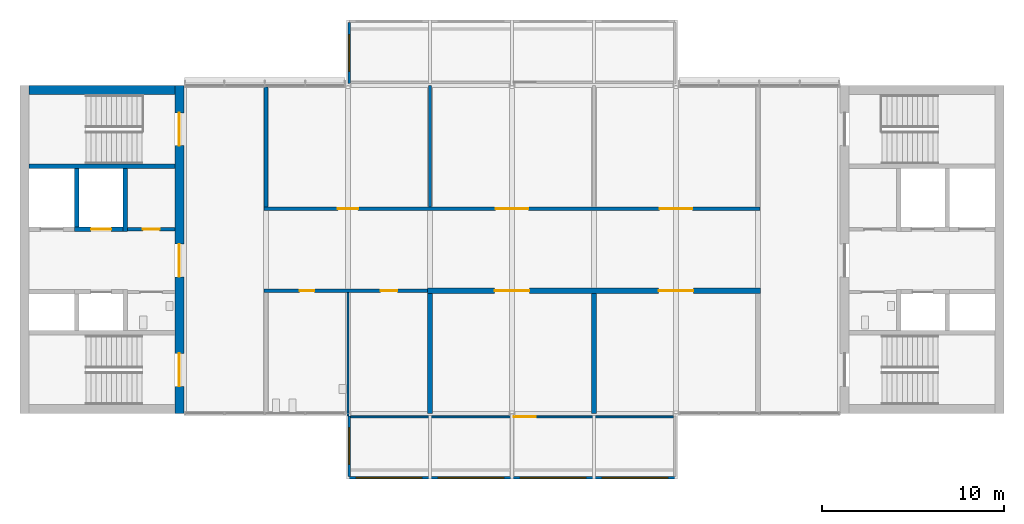
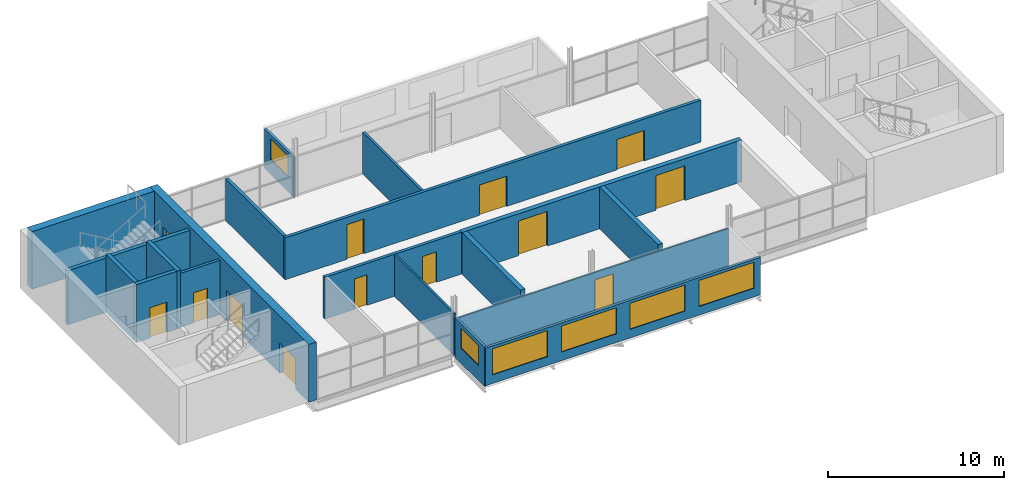
# One storey, part 5 of 10: 19 walls, 13 doors, 6 windows, 19 openings.
"""IFC4 building model written with IfcOpenShell, lengths in metres."""

import ifcopenshell
import ifcopenshell.guid

model = None  # the IFC model being written
_history = None  # IfcOwnerHistory: only IFC2X3 demands one
_inside = {}  # id of a spatial element -> (the spatial element, [elements in it])
_under = {}  # id of a project, library or spatial element -> (it, [spatial elements below it])
_declared = {}  # id of a project -> (the project, [libraries it declares])
_typed = {}  # id of a type object -> (the type object, [elements of that type])
_made_of = {}  # id of a material, layer set ... -> (it, [elements and type objects made of it])


def new_model(schema):
    """Start an empty IFC model of exactly this schema.

    Asked for "IFC4X3", IfcOpenShell would pick the latest addendum, in which some entities
    have other attributes; the version numbers below select the first issue.
    IFC2X3 requires an IfcOwnerHistory on every rooted entity: one is made here for all.
    """
    global model, _history
    if schema == "IFC4X3":
        model = ifcopenshell.file(schema_version=(4, 3, 0, 0))
    else:
        model = ifcopenshell.file(schema=schema)
    _inside.clear()
    _under.clear()
    _declared.clear()
    _typed.clear()
    _made_of.clear()
    _history = None
    if model.schema == "IFC2X3":
        org = make("IfcOrganization", Name="unknown")
        user = make(
            "IfcPersonAndOrganization",
            ThePerson=make("IfcPerson", FamilyName="unknown"),
            TheOrganization=org,
        )
        app = make(
            "IfcApplication",
            ApplicationDeveloper=org,
            Version="unknown",
            ApplicationFullName="unknown",
            ApplicationIdentifier="unknown",
        )
        _history = make(
            "IfcOwnerHistory",
            OwningUser=user,
            OwningApplication=app,
            ChangeAction="ADDED",
            CreationDate=0,
        )
    return model


def make(cls, **values):
    """One entity of the class cls with the attributes given. An attribute that is None is left unset."""
    return model.create_entity(
        cls, **{name: value for name, value in values.items() if value is not None}
    )


def rooted(cls, **values):
    """An entity with a GlobalId (a new one), such as an element, a storey or a relation."""
    return make(cls, GlobalId=ifcopenshell.guid.new(), OwnerHistory=_history, **values)


def si_unit(unit_type, name, prefix=None):
    """IfcSIUnit, for example si_unit("LENGTHUNIT", "METRE", prefix="MILLI")."""
    return make("IfcSIUnit", UnitType=unit_type, Prefix=prefix, Name=name)


def assignment(units):
    """IfcUnitAssignment: the units of a project."""
    return None if units is None else make("IfcUnitAssignment", Units=units)


def point(xyz):
    """IfcCartesianPoint."""
    return None if xyz is None else make("IfcCartesianPoint", Coordinates=xyz)


def direction(xyz):
    """IfcDirection."""
    return None if xyz is None else make("IfcDirection", DirectionRatios=xyz)


def frame(location, z_axis=None, x_axis=None):
    """IfcAxis2Placement3D, a coordinate frame: its origin and axes. An axis left out is left unset."""
    return make(
        "IfcAxis2Placement3D",
        Location=point(location),
        Axis=direction(z_axis),
        RefDirection=direction(x_axis),
    )


def frame_2d(location, x_axis=None):
    """IfcAxis2Placement2D, a coordinate frame in the plane: its origin and x axis."""
    return make(
        "IfcAxis2Placement2D", Location=point(location), RefDirection=direction(x_axis)
    )


def origin():
    """The frame at (0, 0, 0) with its axes left unset."""
    return frame((0.0, 0.0, 0.0))


def place(relative_to, where):
    """IfcLocalPlacement: puts the frame where relative to a parent placement (None: the world)."""
    return make(
        "IfcLocalPlacement", PlacementRelTo=relative_to, RelativePlacement=where
    )


def context(
    kind, dimensions, precision=None, world=None, true_north=None, identifier=None
):
    """IfcGeometricRepresentationContext, for example the 3D "Model" context."""
    return make(
        "IfcGeometricRepresentationContext",
        ContextIdentifier=identifier,
        ContextType=kind,
        CoordinateSpaceDimension=dimensions,
        Precision=precision,
        WorldCoordinateSystem=world,
        TrueNorth=true_north,
    )


def subcontext(parent, identifier, kind, view, scale=None):
    """IfcGeometricRepresentationSubContext, for example "Body" below "Model"."""
    return make(
        "IfcGeometricRepresentationSubContext",
        ContextIdentifier=identifier,
        ContextType=kind,
        ParentContext=parent,
        TargetScale=scale,
        TargetView=view,
    )


def project(units=None, contexts=None):
    """IfcProject with its units and contexts."""
    return rooted(
        "IfcProject",
        Name="project",
        RepresentationContexts=contexts,
        UnitsInContext=assignment(units),
    )


def spatial(cls, under=None, at=None, **own):
    """A site, building, storey or space (cls), placed at a placement, below another one or the project."""
    s = rooted(cls, ObjectPlacement=at, **own)
    if under is not None:
        _under.setdefault(under.id(), (under, []))[1].append(s)
    return s


def profile(cls, at=None, kind="AREA", **sizes):
    """A parametric profile (cls). Its sizes go by their IFC names, for example OverallWidth=200.0."""
    return make(cls, ProfileType=kind, Position=at, **sizes)


def rectangle(**sizes):
    """IfcRectangleProfileDef."""
    return profile("IfcRectangleProfileDef", **sizes)


def extrude(swept, where, along, depth):
    """IfcExtrudedAreaSolid: the profile swept, set in the frame where, extruded along a direction by depth."""
    return make(
        "IfcExtrudedAreaSolid",
        SweptArea=swept,
        Position=where,
        ExtrudedDirection=direction(along),
        Depth=depth,
    )


def shape(context_of_items, identifier, shape_type, items):
    """IfcShapeRepresentation: the items that make up one representation, for example the "Body"."""
    return make(
        "IfcShapeRepresentation",
        ContextOfItems=context_of_items,
        RepresentationIdentifier=identifier,
        RepresentationType=shape_type,
        Items=items,
    )


def material(Name=None, Category=None):
    """IfcMaterial."""
    return make("IfcMaterial", Name=Name, Category=Category)


def layer(
    of_material, thickness, ventilated=None, Name=None, Category=None, Priority=None
):
    """IfcMaterialLayer: one layer of a wall or slab, of a material (None: an air gap)."""
    return make(
        "IfcMaterialLayer",
        Material=of_material,
        LayerThickness=thickness,
        IsVentilated=ventilated,
        Name=Name,
        Category=Category,
        Priority=Priority,
    )


def layer_set(layers, Name=None):
    """IfcMaterialLayerSet."""
    return make("IfcMaterialLayerSet", MaterialLayers=layers, LayerSetName=Name)


def made_of(thing, what):
    """Note that an element or type object is made of a material, layer set ...; save() writes the relation."""
    if what is not None:
        _made_of.setdefault(what.id(), (what, []))[1].append(thing)
    return thing


def type_object(cls, material=None, **own):
    """A type object (cls), such as IfcWallType, which elements share."""
    return made_of(rooted(cls, **own), material)


def element(
    cls,
    number,
    at=None,
    inside=None,
    cuts=None,
    type_object=None,
    material=None,
    context=None,
    identifier="Body",
    shape_type=None,
    held_by="IfcProductDefinitionShape",
    body=None,
    shapes=None,
    **own,
):
    """One element of the class cls, such as IfcWall. Its Tag is "e" and its number.

    at: its placement. inside: the storey or other place that contains it. cuts: it is an
    opening in that element (IfcRelVoidsElement). A single representation is given by context,
    identifier, shape_type and body (its items); several are given by shapes. held_by: the class
    of the entity that holds the representations. save() writes the other relations.
    """
    e = rooted(cls, Tag="e%d" % number, ObjectPlacement=at, **own)
    if body is not None:
        shapes = [shape(context, identifier, shape_type, body)]
    if shapes is not None:
        e.Representation = make(held_by, Representations=shapes)
    if inside is not None:
        _inside.setdefault(inside.id(), (inside, []))[1].append(e)
    if cuts is not None:
        rooted(
            "IfcRelVoidsElement", RelatingBuildingElement=cuts, RelatedOpeningElement=e
        )
    if type_object is not None:
        _typed.setdefault(type_object.id(), (type_object, []))[1].append(e)
    return made_of(e, material)


def fill(opening, filler):
    """IfcRelFillsElement: the door or window that sits in an opening."""
    return rooted(
        "IfcRelFillsElement",
        RelatingOpeningElement=opening,
        RelatedBuildingElement=filler,
    )


def aggregate(whole, parts):
    """IfcRelAggregates: a whole, such as a stair, and the parts it consists of."""
    return rooted("IfcRelAggregates", RelatingObject=whole, RelatedObjects=parts)


def save(model, path):
    """Write the relations noted so far, then the file.

    IfcRelAggregates (storeys below a building ...), IfcRelContainedInSpatialStructure (elements
    in a storey), IfcRelDefinesByType, IfcRelAssociatesMaterial and IfcRelDeclares: one each for
    every whole, place, type object, material and project.
    """
    for whole, parts in _under.values():
        aggregate(whole, parts)
    for where, things in _inside.values():
        rooted(
            "IfcRelContainedInSpatialStructure",
            RelatedElements=things,
            RelatingStructure=where,
        )
    for kind, things in _typed.values():
        rooted("IfcRelDefinesByType", RelatedObjects=things, RelatingType=kind)
    for what, things in _made_of.values():
        rooted("IfcRelAssociatesMaterial", RelatedObjects=things, RelatingMaterial=what)
    for by, libraries in _declared.values():
        rooted("IfcRelDeclares", RelatingContext=by, RelatedDefinitions=libraries)
    model.write(path)


model = new_model("IFC4")

# Units and contexts
model_context = context("Model", 3, precision=1e-05, world=origin(), true_north=direction((0.0, 1.0)))
body_context = subcontext(model_context, "Body", "Model", "MODEL_VIEW")
ifc_project = project(units=[si_unit("LENGTHUNIT", "METRE"), si_unit("AREAUNIT", "SQUARE_METRE"), si_unit("VOLUMEUNIT", "CUBIC_METRE"), si_unit("PLANEANGLEUNIT", "RADIAN"), si_unit("MASSUNIT", "GRAM", prefix="KILO")], contexts=[model_context])

# Site, building, storey
site_placement = place(None, origin())
site = spatial("IfcSite", under=ifc_project, at=site_placement, CompositionType="ELEMENT")
building_placement = place(site_placement, origin())
building = spatial("IfcBuilding", under=site, at=building_placement, Name="Corbel Yard City Hall", CompositionType="ELEMENT")
storey_placement = place(building_placement, frame((0.0, 0.0, 67.199951171875)))
storey = spatial("IfcBuildingStorey", under=building, at=storey_placement, Name="L16", CompositionType="ELEMENT", Elevation=67.199951171875)

# Walls
ifc_material_1 = material(Name="Concrete N40 (40 MPa)", Category="concrete")
ifc_layer_1 = layer(ifc_material_1, 0.25)
ifc_layer_set_1 = layer_set([ifc_layer_1], Name="Concrete N40 (40 MPa)")
wall_type_1 = type_object("IfcWallType", Name="IW2", PredefinedType="SOLIDWALL", material=ifc_layer_set_1)
wall_1_placement = place(storey_placement, frame((8.5, 112.574951171875, 0.0), z_axis=(0.0, 0.0, 1.0), x_axis=(-1.0, 0.0, 0.0)))
element("IfcWall", 1, at=wall_1_placement, inside=storey, type_object=wall_type_1, Name="Stair enclosure wall", PredefinedType="SOLIDWALL", context=body_context, shape_type="SweptSolid", body=[
    extrude(rectangle(XDim=8.0, YDim=0.25, at=frame_2d((4.0, 0.0))), origin(), (0.0, 0.0, 1.0), 3.75),
])
wall_2_placement = place(storey_placement, frame((5.77490234375, 109.0, 0.0), z_axis=(0.0, 0.0, 1.0), x_axis=(0.0, 1.0, 0.0)))
element("IfcWall", 2, at=wall_2_placement, inside=storey, type_object=wall_type_1, Name="Lift LP24 shaft wall", PredefinedType="SOLIDWALL", context=body_context, shape_type="SweptSolid", body=[
    extrude(rectangle(XDim=3.449951171875, YDim=0.25, at=frame_2d((1.72509765625, 0.0))), origin(), (0.0, 0.0, 1.0), 4.0),
])
wall_3_placement = place(storey_placement, frame((3.125, 109.25, 0.0), z_axis=(0.0, 0.0, 1.0), x_axis=(0.0, 1.0, 0.0)))
element("IfcWall", 3, at=wall_3_placement, inside=storey, type_object=wall_type_1, Name="Lift LP24 shaft wall", PredefinedType="SOLIDWALL", context=body_context, shape_type="SweptSolid", body=[
    extrude(rectangle(XDim=3.199951171875, YDim=0.25, at=frame_2d((1.60009765625, 0.0))), origin(), (0.0, 0.0, 1.0), 4.0),
])

# Wall, opening, door
wall_4_placement = place(storey_placement, frame((5.64990234375, 109.125, 0.0), z_axis=(0.0, 0.0, 1.0), x_axis=(-1.0, 0.0, 0.0)))
wall_4 = element("IfcWall", 4, at=wall_4_placement, inside=storey, type_object=wall_type_1, Name="Lift LP24 shaft wall", PredefinedType="SOLIDWALL", context=body_context, shape_type="SweptSolid", body=[
    extrude(rectangle(XDim=2.64990234375, YDim=0.25, at=frame_2d((1.324951171875, 0.0))), origin(), (0.0, 0.0, 1.0), 4.0),
])
opening_1_placement = place(wall_4_placement, frame((0.64990234375, 0.0, 0.0)))
opening_1 = element("IfcOpeningElement", 5, at=opening_1_placement, cuts=wall_4, Name="Opening L16-004", PredefinedType="OPENING", context=body_context, shape_type="SweptSolid", body=[
    extrude(rectangle(XDim=1.10009765625, YDim=2.10009765625, at=frame_2d((0.550048828125, 1.050048828125))), frame((0.0, 0.135009765625, 0.0), z_axis=(0.0, -1.0, 0.0), x_axis=(1.0, 0.0, 0.0)), (0.0, 0.0, 1.0), 0.27001953125),
])
ifc_material_2 = material(Name="Stainless steel Grade 316", Category="steel")
door_type_1 = type_object("IfcDoorType", Name="LD1", OperationType="DOUBLE_DOOR_SLIDING", PredefinedType="DOOR", material=ifc_material_2)
door_1_placement = place(opening_1_placement, origin())
door_1 = element("IfcDoor", 6, at=door_1_placement, inside=storey, type_object=door_type_1, Name="Lift LP24 landing door", OperationType="DOUBLE_DOOR_SLIDING", OverallHeight=2.10009765625, OverallWidth=1.10009765625, PredefinedType="DOOR", context=body_context, shape_type="SweptSolid", body=[
    extrude(rectangle(XDim=1.10009765625, YDim=2.10009765625, at=frame_2d((0.550048828125, 1.050048828125))), frame((0.0, 0.02490234375, 0.0), z_axis=(0.0, -1.0, 0.0), x_axis=(1.0, 0.0, 0.0)), (0.0, 0.0, 1.0), 0.050048828125),
])
fill(opening_1, door_1)

# Wall, openings, windows
ifc_material_3 = material(Name="Anodised aluminium", Category="aluminium")
ifc_layer_2 = layer(ifc_material_3, 0.02392578125)
ifc_material_4 = material(Name="Steel Grade G550 (550 MPa yield)", Category="steel")
ifc_layer_3 = layer(ifc_material_4, 0.10009765625)
ifc_material_5 = material(Name="Gypsum plasterboard", Category="gypsum")
ifc_layer_4 = layer(ifc_material_5, 0.02587890625)
ifc_layer_set_2 = layer_set([ifc_layer_2, ifc_layer_3, ifc_layer_4], Name="Steel Grade G550 (550 MPa yield)")
wall_type_2 = type_object("IfcWallType", Name="PD1", PredefinedType="SOLIDWALL", material=ifc_layer_set_2)
wall_5_placement = place(storey_placement, frame((18.0, 95.47509765625, 0.0), z_axis=(0.0, 0.0, 1.0), x_axis=(1.0, 0.0, 0.0)))
wall_5 = element("IfcWall", 7, at=wall_5_placement, inside=storey, type_object=wall_type_2, Name="Pod outer wall L16", PredefinedType="SOLIDWALL", context=body_context, shape_type="SweptSolid", body=[
    extrude(rectangle(XDim=18.0, YDim=0.14990234375, at=frame_2d((9.0, 0.0))), origin(), (0.0, 0.0, 1.0), 2.60009765625),
])
opening_2_placement = place(wall_5_placement, frame((0.449951171875, 0.0, 0.60009765625)))
opening_2 = element("IfcOpeningElement", 8, at=opening_2_placement, cuts=wall_5, Name="Opening WN17", PredefinedType="OPENING", context=body_context, shape_type="SweptSolid", body=[
    extrude(rectangle(XDim=3.60009765625, YDim=1.800048828125, at=frame_2d((1.800048828125, 0.89990234375))), frame((0.0, 0.0849609375, 0.0), z_axis=(0.0, -1.0, 0.0), x_axis=(1.0, 0.0, 0.0)), (0.0, 0.0, 1.0), 0.169921875),
])
opening_3_placement = place(wall_5_placement, frame((4.949951171875, 0.0, 0.60009765625)))
opening_3 = element("IfcOpeningElement", 9, at=opening_3_placement, cuts=wall_5, Name="Opening WN17", PredefinedType="OPENING", context=body_context, shape_type="SweptSolid", body=[
    extrude(rectangle(XDim=3.60009765625, YDim=1.800048828125, at=frame_2d((1.800048828125, 0.89990234375))), frame((0.0, 0.0849609375, 0.0), z_axis=(0.0, -1.0, 0.0), x_axis=(1.0, 0.0, 0.0)), (0.0, 0.0, 1.0), 0.169921875),
])
opening_4_placement = place(wall_5_placement, frame((9.449951171875, 0.0, 0.60009765625)))
opening_4 = element("IfcOpeningElement", 10, at=opening_4_placement, cuts=wall_5, Name="Opening WN17", PredefinedType="OPENING", context=body_context, shape_type="SweptSolid", body=[
    extrude(rectangle(XDim=3.60009765625, YDim=1.800048828125, at=frame_2d((1.800048828125, 0.89990234375))), frame((0.0, 0.0849609375, 0.0), z_axis=(0.0, -1.0, 0.0), x_axis=(1.0, 0.0, 0.0)), (0.0, 0.0, 1.0), 0.169921875),
])
opening_5_placement = place(wall_5_placement, frame((13.949951171875, 0.0, 0.60009765625)))
opening_5 = element("IfcOpeningElement", 11, at=opening_5_placement, cuts=wall_5, Name="Opening WN17", PredefinedType="OPENING", context=body_context, shape_type="SweptSolid", body=[
    extrude(rectangle(XDim=3.60009765625, YDim=1.800048828125, at=frame_2d((1.800048828125, 0.89990234375))), frame((0.0, 0.0849609375, 0.0), z_axis=(0.0, -1.0, 0.0), x_axis=(1.0, 0.0, 0.0)), (0.0, 0.0, 1.0), 0.169921875),
])
ifc_material_6 = material(Name="Aluminium frame, double glazed low-e glass", Category="aluminium")
window_type_1 = type_object("IfcWindowType", Name="WN17", PartitioningType="SINGLE_PANEL", PredefinedType="WINDOW", material=ifc_material_6)
window_1_placement = place(opening_2_placement, origin())
window_1 = element("IfcWindow", 12, at=window_1_placement, inside=storey, type_object=window_type_1, Name="Window WN17 L16", OverallHeight=1.800048828125, OverallWidth=3.60009765625, PartitioningType="SINGLE_PANEL", PredefinedType="WINDOW", context=body_context, shape_type="SweptSolid", body=[
    extrude(rectangle(XDim=3.60009765625, YDim=1.800048828125, at=frame_2d((1.800048828125, 0.89990234375))), frame((0.0, 0.030029296875, 0.0), z_axis=(0.0, -1.0, 0.0), x_axis=(1.0, 0.0, 0.0)), (0.0, 0.0, 1.0), 0.06005859375),
])
fill(opening_2, window_1)
window_2_placement = place(opening_3_placement, origin())
window_2 = element("IfcWindow", 13, at=window_2_placement, inside=storey, type_object=window_type_1, Name="Window WN17 L16", OverallHeight=1.800048828125, OverallWidth=3.60009765625, PartitioningType="SINGLE_PANEL", PredefinedType="WINDOW", context=body_context, shape_type="SweptSolid", body=[
    extrude(rectangle(XDim=3.60009765625, YDim=1.800048828125, at=frame_2d((1.800048828125, 0.89990234375))), frame((0.0, 0.030029296875, 0.0), z_axis=(0.0, -1.0, 0.0), x_axis=(1.0, 0.0, 0.0)), (0.0, 0.0, 1.0), 0.06005859375),
])
fill(opening_3, window_2)
window_3_placement = place(opening_4_placement, origin())
window_3 = element("IfcWindow", 14, at=window_3_placement, inside=storey, type_object=window_type_1, Name="Window WN17 L16", OverallHeight=1.800048828125, OverallWidth=3.60009765625, PartitioningType="SINGLE_PANEL", PredefinedType="WINDOW", context=body_context, shape_type="SweptSolid", body=[
    extrude(rectangle(XDim=3.60009765625, YDim=1.800048828125, at=frame_2d((1.800048828125, 0.89990234375))), frame((0.0, 0.030029296875, 0.0), z_axis=(0.0, -1.0, 0.0), x_axis=(1.0, 0.0, 0.0)), (0.0, 0.0, 1.0), 0.06005859375),
])
fill(opening_4, window_3)
window_4_placement = place(opening_5_placement, origin())
window_4 = element("IfcWindow", 15, at=window_4_placement, inside=storey, type_object=window_type_1, Name="Window WN17 L16", OverallHeight=1.800048828125, OverallWidth=3.60009765625, PartitioningType="SINGLE_PANEL", PredefinedType="WINDOW", context=body_context, shape_type="SweptSolid", body=[
    extrude(rectangle(XDim=3.60009765625, YDim=1.800048828125, at=frame_2d((1.800048828125, 0.89990234375))), frame((0.0, 0.030029296875, 0.0), z_axis=(0.0, -1.0, 0.0), x_axis=(1.0, 0.0, 0.0)), (0.0, 0.0, 1.0), 0.06005859375),
])
fill(opening_5, window_4)

# Wall, opening, door
ifc_layer_5 = layer(ifc_material_5, 0.01806640625)
ifc_layer_6 = layer(ifc_material_4, 0.06396484375)
ifc_layer_7 = layer(ifc_material_5, 0.01806640625)
ifc_layer_set_3 = layer_set([ifc_layer_5, ifc_layer_6, ifc_layer_7], Name="Steel Grade G550 (550 MPa yield)")
wall_type_3 = type_object("IfcWallType", Name="PD2", PredefinedType="PARTITIONING", material=ifc_layer_set_3)
wall_6_placement = place(storey_placement, frame((18.14990234375, 98.822021484375, 0.0), z_axis=(0.0, 0.0, 1.0), x_axis=(1.0, 0.0, 0.0)))
wall_6 = element("IfcWall", 16, at=wall_6_placement, inside=storey, type_object=wall_type_3, Name="Pod inner wall L16", PredefinedType="PARTITIONING", context=body_context, shape_type="SweptSolid", body=[
    extrude(rectangle(XDim=17.7001953125, YDim=0.10009765625, at=frame_2d((8.85009765625, 0.0))), origin(), (0.0, 0.0, 1.0), 2.60009765625),
])
opening_6_placement = place(wall_6_placement, frame((8.949951171875, 0.0, 0.0)))
opening_6 = element("IfcOpeningElement", 17, at=opening_6_placement, cuts=wall_6, Name="Opening L16-001", PredefinedType="OPENING", context=body_context, shape_type="SweptSolid", body=[
    extrude(rectangle(XDim=1.199951171875, YDim=2.10009765625, at=frame_2d((0.60009765625, 1.050048828125))), frame((0.0, 0.06005859375, 0.0), z_axis=(0.0, -1.0, 0.0), x_axis=(1.0, 0.0, 0.0)), (0.0, 0.0, 1.0), 0.1201171875),
])
ifc_material_7 = material(Name="Timber, solid core", Category="wood")
door_type_2 = type_object("IfcDoorType", Name="XD13", OperationType="DOUBLE_DOOR_SINGLE_SWING", PredefinedType="DOOR", material=ifc_material_7)
door_2_placement = place(opening_6_placement, origin())
door_2 = element("IfcDoor", 18, at=door_2_placement, inside=storey, type_object=door_type_2, Name="Pod door L16", OperationType="DOUBLE_DOOR_SINGLE_SWING", OverallHeight=2.10009765625, OverallWidth=1.199951171875, PredefinedType="DOOR", context=body_context, shape_type="SweptSolid", body=[
    extrude(rectangle(XDim=1.199951171875, YDim=2.10009765625, at=frame_2d((0.60009765625, 1.050048828125))), frame((0.0, 0.02490234375, 0.0), z_axis=(0.0, -1.0, 0.0), x_axis=(1.0, 0.0, 0.0)), (0.0, 0.0, 1.0), 0.050048828125),
])
fill(opening_6, door_2)

# Wall, opening, window
ifc_layer_8 = layer(ifc_material_3, 0.02392578125)
ifc_layer_9 = layer(ifc_material_4, 0.10009765625)
ifc_layer_10 = layer(ifc_material_5, 0.02587890625)
ifc_layer_set_4 = layer_set([ifc_layer_8, ifc_layer_9, ifc_layer_10], Name="Steel Grade G550 (550 MPa yield)")
wall_type_4 = type_object("IfcWallType", Name="PD3", PredefinedType="SOLIDWALL", material=ifc_layer_set_4)
wall_7_placement = place(storey_placement, frame((18.074951171875, 95.550048828125, -0.14990234375), z_axis=(0.0, 0.0, 1.0), x_axis=(0.0, 1.0, 0.0)))
wall_7 = element("IfcWall", 19, at=wall_7_placement, inside=storey, type_object=wall_type_4, Name="Pod side wall L16", PredefinedType="SOLIDWALL", context=body_context, shape_type="SweptSolid", body=[
    extrude(rectangle(XDim=3.322021484375, YDim=0.14990234375, at=frame_2d((1.6611328125, 0.0))), origin(), (0.0, 0.0, 1.0), 2.75),
])
opening_7_placement = place(wall_7_placement, frame((0.660888671875, 0.0, 1.050048828125)))
opening_7 = element("IfcOpeningElement", 20, at=opening_7_placement, cuts=wall_7, Name="Opening WN6", PredefinedType="OPENING", context=body_context, shape_type="SweptSolid", body=[
    extrude(rectangle(XDim=2.0, YDim=1.39990234375, at=frame_2d((1.0, 0.699951171875))), frame((0.0, 0.0849609375, 0.0), z_axis=(0.0, -1.0, 0.0), x_axis=(1.0, 0.0, 0.0)), (0.0, 0.0, 1.0), 0.169921875),
])
window_type_2 = type_object("IfcWindowType", Name="WN6", PartitioningType="SINGLE_PANEL", PredefinedType="WINDOW", material=ifc_material_6)
window_5_placement = place(opening_7_placement, origin())
window_5 = element("IfcWindow", 21, at=window_5_placement, inside=storey, type_object=window_type_2, Name="Window WN6 L16", OverallHeight=1.39990234375, OverallWidth=2.0, PartitioningType="SINGLE_PANEL", PredefinedType="WINDOW", context=body_context, shape_type="SweptSolid", body=[
    extrude(rectangle(XDim=2.0, YDim=1.39990234375, at=frame_2d((1.0, 0.699951171875))), frame((0.0, 0.030029296875, 0.0), z_axis=(0.0, -1.0, 0.0), x_axis=(1.0, 0.0, 0.0)), (0.0, 0.0, 1.0), 0.06005859375),
])
fill(opening_7, window_5)

wall_8_placement = place(storey_placement, frame((18.074951171875, 120.449951171875, -0.14990234375), z_axis=(0.0, 0.0, 1.0), x_axis=(0.0, -1.0, 0.0)))
wall_8 = element("IfcWall", 22, at=wall_8_placement, inside=storey, type_object=wall_type_4, Name="Pod side wall L16", PredefinedType="SOLIDWALL", context=body_context, shape_type="SweptSolid", body=[
    extrude(rectangle(XDim=3.322021484375, YDim=0.14990234375, at=frame_2d((1.6611328125, 0.0))), origin(), (0.0, 0.0, 1.0), 2.75),
])
opening_8_placement = place(wall_8_placement, frame((0.660888671875, 0.0, 1.050048828125)))
opening_8 = element("IfcOpeningElement", 23, at=opening_8_placement, cuts=wall_8, Name="Opening WN6", PredefinedType="OPENING", context=body_context, shape_type="SweptSolid", body=[
    extrude(rectangle(XDim=2.0, YDim=1.39990234375, at=frame_2d((1.0, 0.699951171875))), frame((0.0, 0.0849609375, 0.0), z_axis=(0.0, -1.0, 0.0), x_axis=(1.0, 0.0, 0.0)), (0.0, 0.0, 1.0), 0.169921875),
])
window_6_placement = place(opening_8_placement, origin())
window_6 = element("IfcWindow", 24, at=window_6_placement, inside=storey, type_object=window_type_2, Name="Window WN6 L16", OverallHeight=1.39990234375, OverallWidth=2.0, PartitioningType="SINGLE_PANEL", PredefinedType="WINDOW", context=body_context, shape_type="SweptSolid", body=[
    extrude(rectangle(XDim=2.0, YDim=1.39990234375, at=frame_2d((1.0, 0.699951171875))), frame((0.0, 0.030029296875, 0.0), z_axis=(0.0, -1.0, 0.0), x_axis=(1.0, 0.0, 0.0)), (0.0, 0.0, 1.0), 0.06005859375),
])
fill(opening_8, window_6)

# Wall
ifc_layer_11 = layer(ifc_material_5, 0.028076171875)
ifc_layer_12 = layer(ifc_material_4, 0.06396484375)
ifc_layer_13 = layer(ifc_material_5, 0.028076171875)
ifc_layer_set_5 = layer_set([ifc_layer_11, ifc_layer_12, ifc_layer_13], Name="Steel Grade G550 (550 MPa yield)")
wall_type_5 = type_object("IfcWallType", Name="PT1", PredefinedType="PARTITIONING", material=ifc_layer_set_5)
wall_9_placement = place(storey_placement, frame((18.0, 98.8720703125, 0.0), z_axis=(0.0, 0.0, 1.0), x_axis=(0.0, 1.0, 0.0)))
element("IfcWall", 25, at=wall_9_placement, inside=storey, type_object=wall_type_5, Name="Partition", PredefinedType="PARTITIONING", context=body_context, shape_type="SweptSolid", body=[
    extrude(rectangle(XDim=6.77783203125, YDim=0.1201171875, at=frame_2d((3.388916015625, 0.0))), origin(), (0.0, 0.0, 1.0), 2.900146484375),
])

# Wall, openings, doors
ifc_layer_14 = layer(ifc_material_5, 0.031982421875)
ifc_layer_15 = layer(ifc_material_4, 0.135986328125)
ifc_layer_16 = layer(ifc_material_5, 0.031982421875)
ifc_layer_set_6 = layer_set([ifc_layer_14, ifc_layer_15, ifc_layer_16], Name="Steel Grade G550 (550 MPa yield)")
wall_type_6 = type_object("IfcWallType", Name="PT2", PredefinedType="PARTITIONING", material=ifc_layer_set_6)
wall_10_placement = place(storey_placement, frame((13.39990234375, 105.75, 0.0), z_axis=(0.0, 0.0, 1.0), x_axis=(1.0, 0.0, 0.0)))
wall_10 = element("IfcWall", 26, at=wall_10_placement, inside=storey, type_object=wall_type_6, Name="Acoustic wall", PredefinedType="PARTITIONING", context=body_context, shape_type="SweptSolid", body=[
    extrude(rectangle(XDim=8.9501953125, YDim=0.199951171875, at=frame_2d((4.47509765625, 0.0))), origin(), (0.0, 0.0, 1.0), 2.900146484375),
])
opening_9_placement = place(wall_10_placement, frame((1.949951171875, 0.0, 0.0)))
opening_9 = element("IfcOpeningElement", 27, at=opening_9_placement, cuts=wall_10, Name="Opening L16-009", PredefinedType="OPENING", context=body_context, shape_type="SweptSolid", body=[
    extrude(rectangle(XDim=0.800048828125, YDim=2.10009765625, at=frame_2d((0.39990234375, 1.050048828125))), frame((0.0, 0.10986328125, 0.0), z_axis=(0.0, -1.0, 0.0), x_axis=(1.0, 0.0, 0.0)), (0.0, 0.0, 1.0), 0.219970703125),
])
opening_10_placement = place(wall_10_placement, frame((6.389892578125, 0.0, 0.0)))
opening_10 = element("IfcOpeningElement", 28, at=opening_10_placement, cuts=wall_10, Name="Opening L16-010", PredefinedType="OPENING", context=body_context, shape_type="SweptSolid", body=[
    extrude(rectangle(XDim=0.919921875, YDim=2.10009765625, at=frame_2d((0.4599609375, 1.050048828125))), frame((0.0, 0.10986328125, 0.0), z_axis=(0.0, -1.0, 0.0), x_axis=(1.0, 0.0, 0.0)), (0.0, 0.0, 1.0), 0.219970703125),
])
ifc_material_8 = material(Name="Timber", Category="wood")
door_type_3 = type_object("IfcDoorType", Name="D4", OperationType="SINGLE_SWING_LEFT", PredefinedType="DOOR", material=ifc_material_8)
door_3_placement = place(opening_10_placement, frame((0.919921875, 0.0, 0.0), z_axis=(0.0, 0.0, 1.0), x_axis=(-1.0, 0.0, 0.0)))
door_3 = element("IfcDoor", 29, at=door_3_placement, inside=storey, type_object=door_type_3, Name="Door Executive Pantry 1605", OperationType="SINGLE_SWING_LEFT", OverallHeight=2.10009765625, OverallWidth=0.919921875, PredefinedType="DOOR", context=body_context, shape_type="SweptSolid", body=[
    extrude(rectangle(XDim=0.919921875, YDim=2.10009765625, at=frame_2d((0.4599609375, 1.050048828125))), frame((0.0, 0.02490234375, 0.0), z_axis=(0.0, -1.0, 0.0), x_axis=(1.0, 0.0, 0.0)), (0.0, 0.0, 1.0), 0.050048828125),
])
fill(opening_10, door_3)
door_type_4 = type_object("IfcDoorType", Name="D44", OperationType="SINGLE_SWING_LEFT", PredefinedType="DOOR", material=ifc_material_8)
door_4_placement = place(opening_9_placement, frame((0.800048828125, 0.0, 0.0), z_axis=(0.0, 0.0, 1.0), x_axis=(-1.0, 0.0, 0.0)))
door_4 = element("IfcDoor", 30, at=door_4_placement, inside=storey, type_object=door_type_4, Name="Door Executive WC 1604", OperationType="SINGLE_SWING_RIGHT", OverallHeight=2.10009765625, OverallWidth=0.800048828125, PredefinedType="DOOR", context=body_context, shape_type="SweptSolid", body=[
    extrude(rectangle(XDim=0.800048828125, YDim=2.10009765625, at=frame_2d((0.39990234375, 1.050048828125))), frame((0.0, 0.02490234375, 0.0), z_axis=(0.0, -1.0, 0.0), x_axis=(1.0, 0.0, 0.0)), (0.0, 0.0, 1.0), 0.050048828125),
])
fill(opening_9, door_4)

wall_11_placement = place(storey_placement, frame((13.39990234375, 110.25, 0.0), z_axis=(0.0, 0.0, 1.0), x_axis=(1.0, 0.0, 0.0)))
wall_11 = element("IfcWall", 31, at=wall_11_placement, inside=storey, type_object=wall_type_6, Name="Acoustic wall", PredefinedType="PARTITIONING", context=body_context, shape_type="SweptSolid", body=[
    extrude(rectangle(XDim=27.2001953125, YDim=0.199951171875, at=frame_2d((13.60009765625, 0.0))), origin(), (0.0, 0.0, 1.0), 2.900146484375),
])
opening_11_placement = place(wall_11_placement, frame((4.050048828125, 0.0, 0.0)))
opening_11 = element("IfcOpeningElement", 32, at=opening_11_placement, cuts=wall_11, Name="Opening L16-013", PredefinedType="OPENING", context=body_context, shape_type="SweptSolid", body=[
    extrude(rectangle(XDim=1.10009765625, YDim=2.39990234375, at=frame_2d((0.550048828125, 1.199951171875))), frame((0.0, 0.10986328125, 0.0), z_axis=(0.0, -1.0, 0.0), x_axis=(1.0, 0.0, 0.0)), (0.0, 0.0, 1.0), 0.219970703125),
])
opening_12_placement = place(wall_11_placement, frame((12.699951171875, 0.0, 0.0)))
opening_12 = element("IfcOpeningElement", 33, at=opening_12_placement, cuts=wall_11, Name="Opening L16-014", PredefinedType="OPENING", context=body_context, shape_type="SweptSolid", body=[
    extrude(rectangle(XDim=1.800048828125, YDim=2.10009765625, at=frame_2d((0.89990234375, 1.050048828125))), frame((0.0, 0.10986328125, 0.0), z_axis=(0.0, -1.0, 0.0), x_axis=(1.0, 0.0, 0.0)), (0.0, 0.0, 1.0), 0.219970703125),
])
opening_13_placement = place(wall_11_placement, frame((21.699951171875, 0.0, 0.0)))
opening_13 = element("IfcOpeningElement", 34, at=opening_13_placement, cuts=wall_11, Name="Opening L16-015", PredefinedType="OPENING", context=body_context, shape_type="SweptSolid", body=[
    extrude(rectangle(XDim=1.800048828125, YDim=2.10009765625, at=frame_2d((0.89990234375, 1.050048828125))), frame((0.0, 0.10986328125, 0.0), z_axis=(0.0, -1.0, 0.0), x_axis=(1.0, 0.0, 0.0)), (0.0, 0.0, 1.0), 0.219970703125),
])
door_type_5 = type_object("IfcDoorType", Name="D3", OperationType="DOUBLE_DOOR_SINGLE_SWING", PredefinedType="DOOR", material=ifc_material_8)
door_5_placement = place(opening_12_placement, origin())
door_5 = element("IfcDoor", 35, at=door_5_placement, inside=storey, type_object=door_type_5, Name="Door Lord Mayor's Anteroom 1609", OperationType="DOUBLE_DOOR_SINGLE_SWING", OverallHeight=2.10009765625, OverallWidth=1.800048828125, PredefinedType="DOOR", context=body_context, shape_type="SweptSolid", body=[
    extrude(rectangle(XDim=1.800048828125, YDim=2.10009765625, at=frame_2d((0.89990234375, 1.050048828125))), frame((0.0, 0.02490234375, 0.0), z_axis=(0.0, -1.0, 0.0), x_axis=(1.0, 0.0, 0.0)), (0.0, 0.0, 1.0), 0.050048828125),
])
fill(opening_12, door_5)
door_6_placement = place(opening_13_placement, origin())
door_6 = element("IfcDoor", 36, at=door_6_placement, inside=storey, type_object=door_type_5, Name="Door Executive Dining Room 1610", OperationType="DOUBLE_DOOR_SINGLE_SWING", OverallHeight=2.10009765625, OverallWidth=1.800048828125, PredefinedType="DOOR", context=body_context, shape_type="SweptSolid", body=[
    extrude(rectangle(XDim=1.800048828125, YDim=2.10009765625, at=frame_2d((0.89990234375, 1.050048828125))), frame((0.0, 0.02490234375, 0.0), z_axis=(0.0, -1.0, 0.0), x_axis=(1.0, 0.0, 0.0)), (0.0, 0.0, 1.0), 0.050048828125),
])
fill(opening_13, door_6)
door_type_6 = type_object("IfcDoorType", Name="D40", OperationType="SINGLE_SWING_LEFT", PredefinedType="DOOR", material=ifc_material_8)
door_7_placement = place(opening_11_placement, origin())
door_7 = element("IfcDoor", 37, at=door_7_placement, inside=storey, type_object=door_type_6, Name="Door Chief Executive's Suite 1608", OperationType="SINGLE_SWING_LEFT", OverallHeight=2.39990234375, OverallWidth=1.10009765625, PredefinedType="DOOR", context=body_context, shape_type="SweptSolid", body=[
    extrude(rectangle(XDim=1.10009765625, YDim=2.39990234375, at=frame_2d((0.550048828125, 1.199951171875))), frame((0.0, 0.02490234375, 0.0), z_axis=(0.0, -1.0, 0.0), x_axis=(1.0, 0.0, 0.0)), (0.0, 0.0, 1.0), 0.050048828125),
])
fill(opening_11, door_7)

# Wall
wall_12_placement = place(storey_placement, frame((13.5, 110.35009765625, 0.0), z_axis=(0.0, 0.0, 1.0), x_axis=(0.0, 1.0, 0.0)))
element("IfcWall", 38, at=wall_12_placement, inside=storey, type_object=wall_type_6, Name="Acoustic wall", PredefinedType="PARTITIONING", context=body_context, shape_type="SweptSolid", body=[
    extrude(rectangle(XDim=6.559814453125, YDim=0.199951171875, at=frame_2d((3.27978515625, 0.0))), origin(), (0.0, 0.0, 1.0), 2.900146484375),
])

# Wall, opening, door
ifc_material_9 = material(Name="Concrete block", Category="concrete")
ifc_layer_17 = layer(ifc_material_9, 0.18994140625)
ifc_layer_set_7 = layer_set([ifc_layer_17], Name="Concrete block")
wall_type_7 = type_object("IfcWallType", Name="PT4", PredefinedType="PARTITIONING", material=ifc_layer_set_7)
wall_13_placement = place(storey_placement, frame((8.5, 109.125, 0.0), z_axis=(0.0, 0.0, 1.0), x_axis=(-1.0, 0.0, 0.0)))
wall_13 = element("IfcWall", 39, at=wall_13_placement, inside=storey, type_object=wall_type_7, Name="Riser wall", PredefinedType="PARTITIONING", context=body_context, shape_type="SweptSolid", body=[
    extrude(rectangle(XDim=2.60009765625, YDim=0.18994140625, at=frame_2d((1.300048828125, 0.0))), origin(), (0.0, 0.0, 1.0), 3.75),
])
opening_14_placement = place(wall_13_placement, frame((0.840087890625, 0.0, 0.0)))
opening_14 = element("IfcOpeningElement", 40, at=opening_14_placement, cuts=wall_13, Name="Opening L16-020", PredefinedType="OPENING", context=body_context, shape_type="SweptSolid", body=[
    extrude(rectangle(XDim=0.919921875, YDim=2.10009765625, at=frame_2d((0.4599609375, 1.050048828125))), frame((0.0, 0.10498046875, 0.0), z_axis=(0.0, -1.0, 0.0), x_axis=(1.0, 0.0, 0.0)), (0.0, 0.0, 1.0), 0.2099609375),
])
ifc_material_10 = material(Name="Steel Grade G250", Category="steel")
door_type_7 = type_object("IfcDoorType", Name="FS4", OperationType="SINGLE_SWING_LEFT", PredefinedType="DOOR", material=ifc_material_10)
door_8_placement = place(opening_14_placement, frame((0.919921875, 0.0, 0.0), z_axis=(0.0, 0.0, 1.0), x_axis=(-1.0, 0.0, 0.0)))
door_8 = element("IfcDoor", 41, at=door_8_placement, inside=storey, type_object=door_type_7, Name="Door riser West", OperationType="SINGLE_SWING_RIGHT", OverallHeight=2.10009765625, OverallWidth=0.919921875, PredefinedType="DOOR", context=body_context, shape_type="SweptSolid", body=[
    extrude(rectangle(XDim=0.919921875, YDim=2.10009765625, at=frame_2d((0.4599609375, 1.050048828125))), frame((0.0, 0.02490234375, 0.0), z_axis=(0.0, -1.0, 0.0), x_axis=(1.0, 0.0, 0.0)), (0.0, 0.0, 1.0), 0.050048828125),
])
fill(opening_14, door_8)

# Wall, openings, doors
ifc_layer_18 = layer(ifc_material_5, 0.031982421875)
ifc_layer_19 = layer(ifc_material_4, 0.236083984375)
ifc_layer_20 = layer(ifc_material_5, 0.031982421875)
ifc_layer_set_8 = layer_set([ifc_layer_18, ifc_layer_19, ifc_layer_20], Name="Steel Grade G550 (550 MPa yield)")
wall_type_8 = type_object("IfcWallType", Name="PT40", PredefinedType="PARTITIONING", material=ifc_layer_set_8)
wall_14_placement = place(storey_placement, frame((22.35009765625, 105.75, 0.0), z_axis=(0.0, 0.0, 1.0), x_axis=(1.0, 0.0, 0.0)))
wall_14 = element("IfcWall", 42, at=wall_14_placement, inside=storey, type_object=wall_type_8, Name="Acoustic partition", PredefinedType="PARTITIONING", context=body_context, shape_type="SweptSolid", body=[
    extrude(rectangle(XDim=18.2998046875, YDim=0.300048828125, at=frame_2d((9.14990234375, 0.0))), origin(), (0.0, 0.0, 1.0), 2.900146484375),
])
opening_15_placement = place(wall_14_placement, frame((3.699951171875, 0.0, 0.0)))
opening_15 = element("IfcOpeningElement", 43, at=opening_15_placement, cuts=wall_14, Name="Opening L16-011", PredefinedType="OPENING", context=body_context, shape_type="SweptSolid", body=[
    extrude(rectangle(XDim=1.89990234375, YDim=2.39990234375, at=frame_2d((0.949951171875, 1.199951171875))), frame((0.0, 0.159912109375, 0.0), z_axis=(0.0, -1.0, 0.0), x_axis=(1.0, 0.0, 0.0)), (0.0, 0.0, 1.0), 0.320068359375),
])
opening_16_placement = place(wall_14_placement, frame((12.699951171875, 0.0, 0.0)))
opening_16 = element("IfcOpeningElement", 44, at=opening_16_placement, cuts=wall_14, Name="Opening L16-012", PredefinedType="OPENING", context=body_context, shape_type="SweptSolid", body=[
    extrude(rectangle(XDim=1.89990234375, YDim=2.39990234375, at=frame_2d((0.949951171875, 1.199951171875))), frame((0.0, 0.159912109375, 0.0), z_axis=(0.0, -1.0, 0.0), x_axis=(1.0, 0.0, 0.0)), (0.0, 0.0, 1.0), 0.320068359375),
])
door_type_8 = type_object("IfcDoorType", Name="D41", OperationType="DOUBLE_DOOR_SINGLE_SWING", PredefinedType="DOOR", material=ifc_material_8)
door_9_placement = place(opening_15_placement, origin())
door_9 = element("IfcDoor", 45, at=door_9_placement, inside=storey, type_object=door_type_8, Name="Door Cabinet Anteroom 1606", OperationType="DOUBLE_DOOR_SINGLE_SWING", OverallHeight=2.39990234375, OverallWidth=1.89990234375, PredefinedType="DOOR", context=body_context, shape_type="SweptSolid", body=[
    extrude(rectangle(XDim=1.89990234375, YDim=2.39990234375, at=frame_2d((0.949951171875, 1.199951171875))), frame((0.0, 0.02490234375, 0.0), z_axis=(0.0, -1.0, 0.0), x_axis=(1.0, 0.0, 0.0)), (0.0, 0.0, 1.0), 0.050048828125),
])
fill(opening_15, door_9)
door_10_placement = place(opening_16_placement, origin())
door_10 = element("IfcDoor", 46, at=door_10_placement, inside=storey, type_object=door_type_8, Name="Door Boardroom 1607", OperationType="DOUBLE_DOOR_SINGLE_SWING", OverallHeight=2.39990234375, OverallWidth=1.89990234375, PredefinedType="DOOR", context=body_context, shape_type="SweptSolid", body=[
    extrude(rectangle(XDim=1.89990234375, YDim=2.39990234375, at=frame_2d((0.949951171875, 1.199951171875))), frame((0.0, 0.02490234375, 0.0), z_axis=(0.0, -1.0, 0.0), x_axis=(1.0, 0.0, 0.0)), (0.0, 0.0, 1.0), 0.050048828125),
])
fill(opening_16, door_10)

# Walls
for number, where, z_axis, x_axis, name in (
    (47, (22.5, 99.0, 0.0), (0.0, 0.0, 1.0), (0.0, 1.0, 0.0), "Acoustic partition"),
    (48, (31.5, 99.0, 0.0), (0.0, 0.0, 1.0), (0.0, 1.0, 0.0), "Acoustic partition"),
):
    element("IfcWall", number, at=place(storey_placement, frame(where, z_axis=z_axis, x_axis=x_axis)), inside=storey, type_object=wall_type_8, Name=name, PredefinedType="PARTITIONING", context=body_context, shape_type="SweptSolid", body=[
        extrude(rectangle(XDim=6.60009765625, YDim=0.300048828125, at=frame_2d((3.300048828125, 0.0))), origin(), (0.0, 0.0, 1.0), 2.900146484375),
    ])
ifc_layer_21 = layer(ifc_material_5, 0.031982421875)
ifc_layer_22 = layer(ifc_material_4, 0.0859375)
ifc_layer_23 = layer(ifc_material_5, 0.031982421875)
ifc_layer_set_9 = layer_set([ifc_layer_21, ifc_layer_22, ifc_layer_23], Name="Steel Grade G550 (550 MPa yield)")
wall_type_9 = type_object("IfcWallType", Name="PT7", PredefinedType="PARTITIONING", material=ifc_layer_set_9)
wall_15_placement = place(storey_placement, frame((22.5, 110.35009765625, 0.0), z_axis=(0.0, 0.0, 1.0), x_axis=(0.0, 1.0, 0.0)))
element("IfcWall", 49, at=wall_15_placement, inside=storey, type_object=wall_type_9, Name="Suite partition", PredefinedType="PARTITIONING", context=body_context, shape_type="SweptSolid", body=[
    extrude(rectangle(XDim=6.64990234375, YDim=0.14990234375, at=frame_2d((3.324951171875, 0.0))), origin(), (0.0, 0.0, 1.0), 2.900146484375),
])

# Wall, openings, doors
ifc_material_11 = material(Name="Concrete N50 (50 MPa)", Category="concrete")
ifc_layer_24 = layer(ifc_material_11, 0.5)
ifc_layer_set_10 = layer_set([ifc_layer_24], Name="Concrete N50 (50 MPa)")
wall_type_10 = type_object("IfcWallType", Name="Trunk wall 500", PredefinedType="SHEAR", material=ifc_layer_set_10)
wall_16_placement = place(storey_placement, frame((8.75, 99.0, 0.0), z_axis=(0.0, 0.0, 1.0), x_axis=(0.0, 1.0, 0.0)))
wall_16 = element("IfcWall", 50, at=wall_16_placement, inside=storey, type_object=wall_type_10, Name="Trunk W east wall", PredefinedType="SHEAR", context=body_context, shape_type="SweptSolid", body=[
    extrude(rectangle(XDim=18.0, YDim=0.5, at=frame_2d((9.0, 0.0))), origin(), (0.0, 0.0, 1.0), 4.0),
])
opening_17_placement = place(wall_16_placement, frame((1.5, 0.0, 0.0)))
opening_17 = element("IfcOpeningElement", 51, at=opening_17_placement, cuts=wall_16, Name="Opening L16-016", PredefinedType="OPENING", context=body_context, shape_type="SweptSolid", body=[
    extrude(rectangle(XDim=1.800048828125, YDim=2.10009765625, at=frame_2d((0.89990234375, 1.050048828125))), frame((0.0, 0.260009765625, 0.0), z_axis=(0.0, -1.0, 0.0), x_axis=(1.0, 0.0, 0.0)), (0.0, 0.0, 1.0), 0.52001953125),
])
opening_18_placement = place(wall_16_placement, frame((14.699951171875, 0.0, 0.0)))
opening_18 = element("IfcOpeningElement", 52, at=opening_18_placement, cuts=wall_16, Name="Opening L16-017", PredefinedType="OPENING", context=body_context, shape_type="SweptSolid", body=[
    extrude(rectangle(XDim=1.800048828125, YDim=2.10009765625, at=frame_2d((0.89990234375, 1.050048828125))), frame((0.0, 0.260009765625, 0.0), z_axis=(0.0, -1.0, 0.0), x_axis=(1.0, 0.0, 0.0)), (0.0, 0.0, 1.0), 0.52001953125),
])
opening_19_placement = place(wall_16_placement, frame((7.5, 0.0, 0.0)))
opening_19 = element("IfcOpeningElement", 53, at=opening_19_placement, cuts=wall_16, Name="Opening L16-018", PredefinedType="OPENING", context=body_context, shape_type="SweptSolid", body=[
    extrude(rectangle(XDim=1.800048828125, YDim=2.10009765625, at=frame_2d((0.89990234375, 1.050048828125))), frame((0.0, 0.260009765625, 0.0), z_axis=(0.0, -1.0, 0.0), x_axis=(1.0, 0.0, 0.0)), (0.0, 0.0, 1.0), 0.52001953125),
])
door_type_9 = type_object("IfcDoorType", Name="FS3", OperationType="DOUBLE_DOOR_SINGLE_SWING", PredefinedType="DOOR", material=ifc_material_10)
door_11_placement = place(opening_17_placement, origin())
door_11 = element("IfcDoor", 54, at=door_11_placement, inside=storey, type_object=door_type_9, Name="Door ST-W1", OperationType="DOUBLE_DOOR_SINGLE_SWING", OverallHeight=2.10009765625, OverallWidth=1.800048828125, PredefinedType="DOOR", context=body_context, shape_type="SweptSolid", body=[
    extrude(rectangle(XDim=1.800048828125, YDim=2.10009765625, at=frame_2d((0.89990234375, 1.050048828125))), frame((0.0, 0.02490234375, 0.0), z_axis=(0.0, -1.0, 0.0), x_axis=(1.0, 0.0, 0.0)), (0.0, 0.0, 1.0), 0.050048828125),
])
fill(opening_17, door_11)
door_12_placement = place(opening_18_placement, origin())
door_12 = element("IfcDoor", 55, at=door_12_placement, inside=storey, type_object=door_type_9, Name="Door ST-W2", OperationType="DOUBLE_DOOR_SINGLE_SWING", OverallHeight=2.10009765625, OverallWidth=1.800048828125, PredefinedType="DOOR", context=body_context, shape_type="SweptSolid", body=[
    extrude(rectangle(XDim=1.800048828125, YDim=2.10009765625, at=frame_2d((0.89990234375, 1.050048828125))), frame((0.0, 0.02490234375, 0.0), z_axis=(0.0, -1.0, 0.0), x_axis=(1.0, 0.0, 0.0)), (0.0, 0.0, 1.0), 0.050048828125),
])
fill(opening_18, door_12)
door_13_placement = place(opening_19_placement, origin())
door_13 = element("IfcDoor", 56, at=door_13_placement, inside=storey, type_object=door_type_9, Name="Door lift lobby West", OperationType="DOUBLE_DOOR_SINGLE_SWING", OverallHeight=2.10009765625, OverallWidth=1.800048828125, PredefinedType="DOOR", context=body_context, shape_type="SweptSolid", body=[
    extrude(rectangle(XDim=1.800048828125, YDim=2.10009765625, at=frame_2d((0.89990234375, 1.050048828125))), frame((0.0, 0.02490234375, 0.0), z_axis=(0.0, -1.0, 0.0), x_axis=(1.0, 0.0, 0.0)), (0.0, 0.0, 1.0), 0.050048828125),
])
fill(opening_19, door_13)

# Wall
wall_17_placement = place(storey_placement, frame((0.5, 116.75, 0.0), z_axis=(0.0, 0.0, 1.0), x_axis=(1.0, 0.0, 0.0)))
element("IfcWall", 57, at=wall_17_placement, inside=storey, type_object=wall_type_10, Name="Trunk W north wall", PredefinedType="SHEAR", context=body_context, shape_type="SweptSolid", body=[
    extrude(rectangle(XDim=8.0, YDim=0.5, at=frame_2d((4.0, 0.0))), origin(), (0.0, 0.0, 1.0), 4.0),
])

save(model, "model.ifc")
